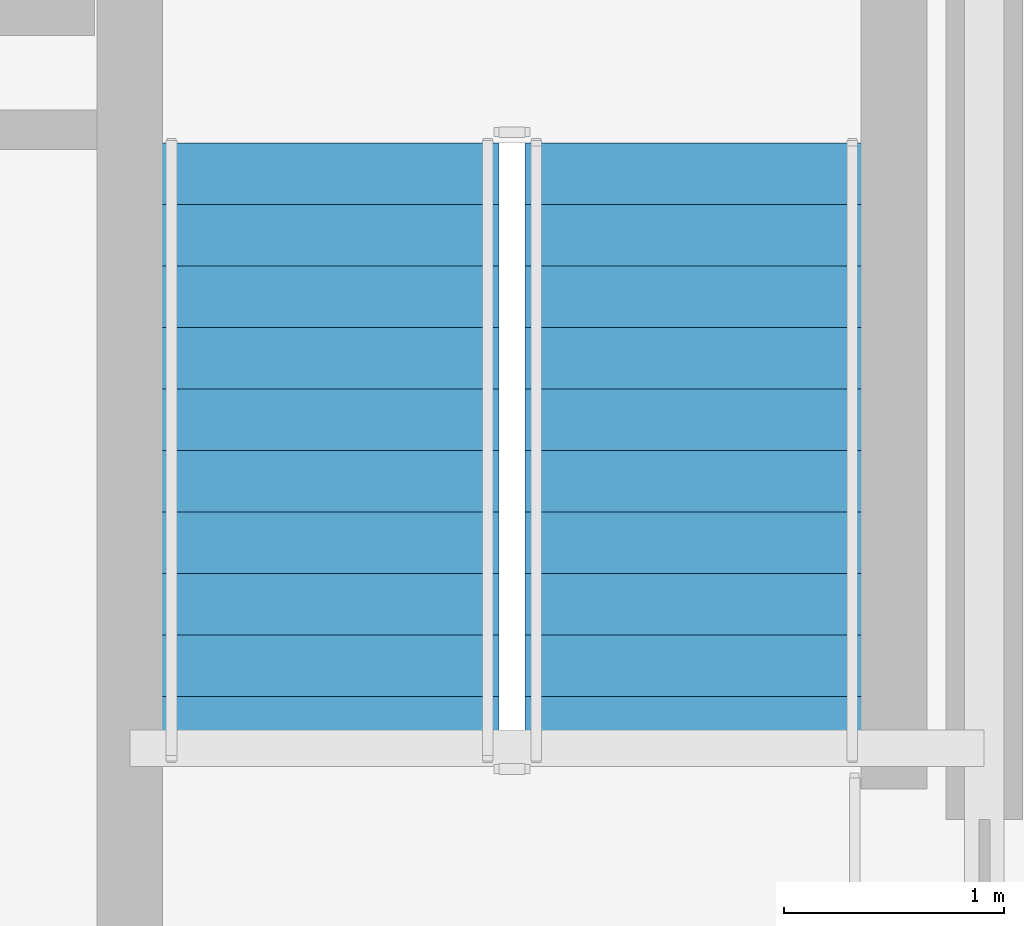
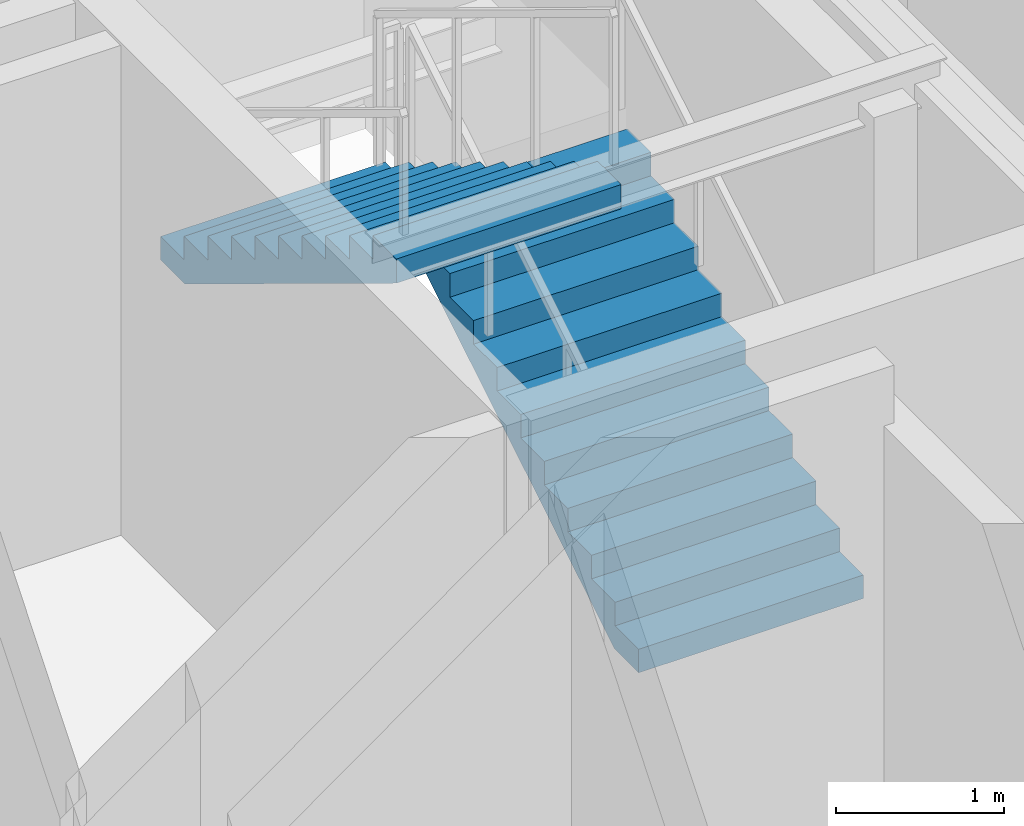
# One storey, part 11 of 15: 2 stair flights, 1 element without a shape of its own.
"""IFC4 building model written with IfcOpenShell, lengths in metres."""

from ifc_helpers import new_model, si_unit, direction, frame, origin, place, context, subcontext, project, spatial, polyline, outline, extrude, material, type_object, element, aggregate, save


model = new_model("IFC4")

# Units and contexts
model_context = context("Model", 3, precision=1e-05, world=origin(), true_north=direction((0.0, 1.0)))
body_context = subcontext(model_context, "Body", "Model", "MODEL_VIEW")
ifc_project = project(units=[si_unit("LENGTHUNIT", "METRE"), si_unit("AREAUNIT", "SQUARE_METRE"), si_unit("VOLUMEUNIT", "CUBIC_METRE"), si_unit("PLANEANGLEUNIT", "RADIAN"), si_unit("MASSUNIT", "GRAM", prefix="KILO")], contexts=[model_context])

# Site, building, storey
site_placement = place(None, origin())
site = spatial("IfcSite", under=ifc_project, at=site_placement, CompositionType="ELEMENT")
building_placement = place(site_placement, origin())
building = spatial("IfcBuilding", under=site, at=building_placement, Name="Vantalir Tower", CompositionType="ELEMENT")
storey_placement = place(building_placement, frame((0.0, 0.0, 275.10009765625)))
storey = spatial("IfcBuildingStorey", under=building, at=storey_placement, Name="L69", CompositionType="ELEMENT", Elevation=275.10009765625)

# Stair, stair flights
ifc_material = material(Name="Concrete C40/50", Category="concrete")
stair_type = type_object("IfcStairType", Name="STR-CORE-1450", PredefinedType="HALF_TURN_STAIR", material=ifc_material)
stair_placement = place(storey_placement, origin())
stair = element("IfcStair", 1, at=stair_placement, inside=storey, type_object=stair_type, Name="L69 Core Exit Stair 2", PredefinedType="HALF_TURN_STAIR")
stair_flight_type = type_object("IfcStairFlightType", Name="FLT-CORE-1450", PredefinedType="STRAIGHT", material=ifc_material)
stair_flight_1_placement = place(storey_placement, frame((39.780029296875, 22.7900390625, 0.0), z_axis=(0.0, 0.0, 1.0), x_axis=(0.0, 1.0, 0.0)))
stair_flight_1 = element("IfcStairFlight", 2, at=stair_flight_1_placement, type_object=stair_flight_type, Name="ST2 flight 1", NumberOfRisers=11, NumberOfTreads=10, PredefinedType="STRAIGHT", RiserHeight=0.170454545, TreadLength=0.28, context=body_context, shape_type="SweptSolid", body=[
    extrude(outline(polyline([(0.0, 0.0), (0.0, 0.17041015625), (0.280029296875, 0.17041015625), (0.280029296875, 0.3408203125), (0.56005859375, 0.3408203125), (0.56005859375, 0.511474609375), (0.840087890625, 0.511474609375), (0.840087890625, 0.681884765625), (1.1201171875, 0.681884765625), (1.1201171875, 0.852294921875), (1.39990234375, 0.852294921875), (1.39990234375, 1.022705078125), (1.679931640625, 1.022705078125), (1.679931640625, 1.193115234375), (1.9599609375, 1.193115234375), (1.9599609375, 1.363525390625), (2.239990234375, 1.363525390625), (2.239990234375, 1.5341796875), (2.52001953125, 1.5341796875), (2.52001953125, 1.70458984375), (2.800048828125, 1.70458984375), (2.800048828125, 1.875), (2.800048828125, 1.529052734375), (0.288330078125, 0.0), (0.0, 0.0)])), frame((0.0, 0.77001953125, 0.0), z_axis=(0.0, -1.0, 0.0), x_axis=(1.0, 0.0, 0.0)), (0.0, 0.0, 1.0), 1.5400390625),
])
stair_flight_2_placement = place(storey_placement, frame((38.1201171875, 25.590087890625, 1.875), z_axis=(0.0, 0.0, 1.0), x_axis=(0.0, -1.0, 0.0)))
stair_flight_2 = element("IfcStairFlight", 3, at=stair_flight_2_placement, type_object=stair_flight_type, Name="ST2 flight 2", NumberOfRisers=11, NumberOfTreads=10, PredefinedType="STRAIGHT", RiserHeight=0.170454545, TreadLength=0.28, context=body_context, shape_type="SweptSolid", body=[
    extrude(outline(polyline([(0.0, 0.0), (0.0, 0.17041015625), (0.280029296875, 0.17041015625), (0.280029296875, 0.3408203125), (0.56005859375, 0.3408203125), (0.56005859375, 0.511474609375), (0.840087890625, 0.511474609375), (0.840087890625, 0.681884765625), (1.1201171875, 0.681884765625), (1.1201171875, 0.852294921875), (1.39990234375, 0.852294921875), (1.39990234375, 1.022705078125), (1.679931640625, 1.022705078125), (1.679931640625, 1.193115234375), (1.9599609375, 1.193115234375), (1.9599609375, 1.363525390625), (2.239990234375, 1.363525390625), (2.239990234375, 1.5341796875), (2.52001953125, 1.5341796875), (2.52001953125, 1.70458984375), (2.800048828125, 1.70458984375), (2.800048828125, 1.875), (2.800048828125, 1.529052734375), (0.288330078125, 0.0), (0.0, 0.0)])), frame((0.0, 0.77001953125, 0.0), z_axis=(0.0, -1.0, 0.0), x_axis=(1.0, 0.0, 0.0)), (0.0, 0.0, 1.0), 1.5400390625),
])
aggregate(stair, [stair_flight_1, stair_flight_2])

save(model, "model.ifc")
